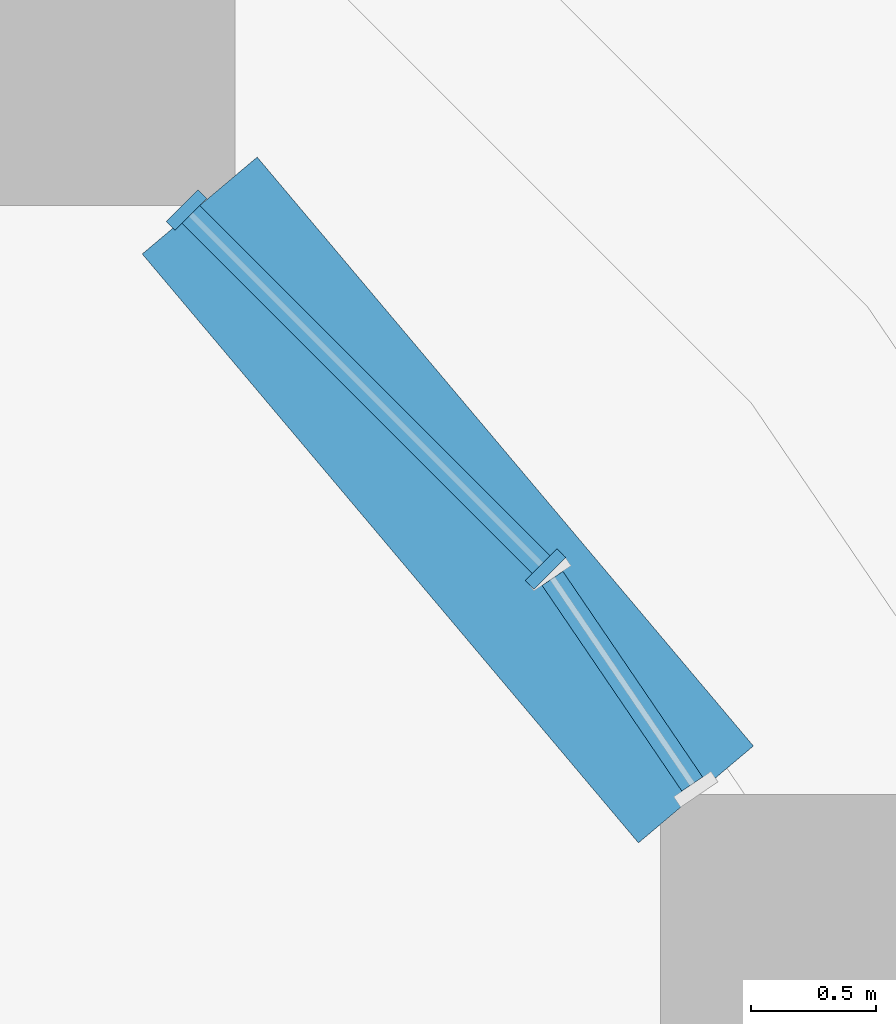
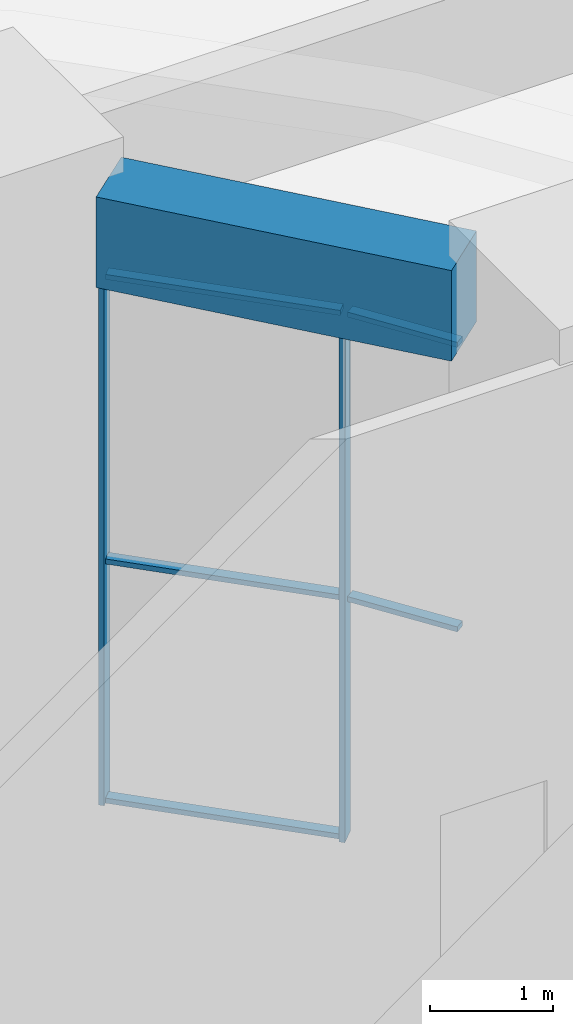
# One storey, part 20 of 51: 7 members, 1 beam, 2 elements without a shape of their own.
"""IFC4 building model written with IfcOpenShell, lengths in metres."""

from ifc_helpers import new_model, si_unit, direction, frame, origin, origin_2d, place, context, subcontext, project, spatial, rectangle, extrude, material, layer, layer_set, material_profile, profile_set, type_object, element, aggregate, save


model = new_model("IFC4")

# Units and contexts
model_context = context("Model", 3, precision=1e-05, world=origin(), true_north=direction((0.0, 1.0)))
body_context = subcontext(model_context, "Body", "Model", "MODEL_VIEW")
ifc_project = project(units=[si_unit("LENGTHUNIT", "METRE"), si_unit("AREAUNIT", "SQUARE_METRE"), si_unit("VOLUMEUNIT", "CUBIC_METRE"), si_unit("PLANEANGLEUNIT", "RADIAN"), si_unit("MASSUNIT", "GRAM", prefix="KILO")], contexts=[model_context])

# Site, building, storey
site_placement = place(None, origin())
site = spatial("IfcSite", under=ifc_project, at=site_placement, CompositionType="ELEMENT")
building_placement = place(site_placement, origin())
building = spatial("IfcBuilding", under=site, at=building_placement, Name="Kiln Ring Residences", CompositionType="ELEMENT")
storey_placement = place(building_placement, origin())
storey = spatial("IfcBuildingStorey", under=building, at=storey_placement, Name="L00", CompositionType="ELEMENT", Elevation=0.0)

# Curtain wall, members
ifc_material_1 = material(Name="Aluminium and glass", Category="aluminium")
ifc_layer = layer(ifc_material_1, 0.179931640625)
ifc_layer_set = layer_set([ifc_layer], Name="CW2 CURTAIN WALL")
curtain_wall_type = type_object("IfcCurtainWallType", Name="CW2 CURTAIN WALL", PredefinedType="NOTDEFINED", material=ifc_layer_set)
placement = place(storey_placement, origin())
curtain_wall_1 = element("IfcCurtainWall", 1, at=placement, inside=storey, type_object=curtain_wall_type, Name="Curtain wall CW2 L00", PredefinedType="NOTDEFINED")
ifc_material_2 = material(Name="Aluminium 6063-T6", Category="aluminium")
ifc_material_profile_1 = material_profile(ifc_material_2, rectangle(XDim=0.179931640625, YDim=0.050048828125, at=origin_2d()), Name="AL 180x50")
ifc_profile_set_1 = profile_set([ifc_material_profile_1], Name="Aluminium 6063-T6")
member_type_1 = type_object("IfcMemberType", Name="CW2 MULLION 180 x 50", PredefinedType="MULLION", material=ifc_profile_set_1)
member_1_placement = place(storey_placement, frame((26.17919921875, 18.40869140625, 0.0), z_axis=(0.0, 0.0, 1.0), x_axis=(-0.707106781187, -0.707106781187, 0.0)))
member_1 = element("IfcMember", 2, at=member_1_placement, type_object=member_type_1, Name="CW2 mullion 1", PredefinedType="MULLION", context=body_context, shape_type="SweptSolid", body=[
    extrude(rectangle(XDim=0.179931640625, YDim=0.050048828125, at=origin_2d()), origin(), (0.0, 0.0, 1.0), 5.25),
])
member_2_placement = place(storey_placement, frame((24.745849609375, 19.842041015625, 0.0), z_axis=(0.0, 0.0, 1.0), x_axis=(-0.707106781187, -0.707106781187, 0.0)))
member_2 = element("IfcMember", 3, at=member_2_placement, type_object=member_type_1, Name="CW2 mullion 2", PredefinedType="MULLION", context=body_context, shape_type="SweptSolid", body=[
    extrude(rectangle(XDim=0.179931640625, YDim=0.050048828125, at=origin_2d()), origin(), (0.0, 0.0, 1.0), 5.25),
])

curtain_wall_2 = element("IfcCurtainWall", 4, at=placement, inside=storey, type_object=curtain_wall_type, Name="Curtain wall CW2 L00", PredefinedType="NOTDEFINED")
ifc_material_3 = material(Name="Aluminium 6063-T6", Category="aluminium")
ifc_material_profile_2 = material_profile(ifc_material_3, rectangle(XDim=0.10009765625, YDim=0.050048828125, at=origin_2d()), Name="AL 100x50")
ifc_profile_set_2 = profile_set([ifc_material_profile_2], Name="Aluminium 6063-T6")
member_type_2 = type_object("IfcMemberType", Name="CW2 TRANSOM 100 x 50", PredefinedType="USERDEFINED", material=ifc_profile_set_2)
member_3_placement = place(storey_placement, frame((26.76513671875, 17.550048828125, 2.39990234375), z_axis=(-0.562054442388, 0.827100238055, 0.0), x_axis=(-0.827100238055, -0.562054442388, 0.0)))
member_3 = element("IfcMember", 5, at=member_3_placement, type_object=member_type_2, Name="CW2 transom 1.2", ObjectType="TRANSOM", PredefinedType="USERDEFINED", context=body_context, shape_type="SweptSolid", body=[
    extrude(rectangle(XDim=0.10009765625, YDim=0.050048828125, at=origin_2d()), origin(), (0.0, 0.0, 1.0), 0.992919921875),
])
member_4_placement = place(storey_placement, frame((26.76513671875, 17.550048828125, 5.22509765625), z_axis=(-0.562054442388, 0.827100238055, 0.0), x_axis=(-0.827100238055, -0.562054442388, 0.0)))
member_4 = element("IfcMember", 6, at=member_4_placement, type_object=member_type_2, Name="CW2 transom 1.3", ObjectType="TRANSOM", PredefinedType="USERDEFINED", context=body_context, shape_type="SweptSolid", body=[
    extrude(rectangle(XDim=0.10009765625, YDim=0.050048828125, at=origin_2d()), origin(), (0.0, 0.0, 1.0), 0.992919921875),
])
aggregate(curtain_wall_2, [member_3, member_4])

# Member
member_5_placement = place(storey_placement, frame((26.16162109375, 18.42626953125, 0.02490234375), z_axis=(-0.707106781187, 0.707106781187, 0.0), x_axis=(-0.707106781187, -0.707106781187, 0.0)))
member_5 = element("IfcMember", 7, at=member_5_placement, type_object=member_type_2, Name="CW2 transom 1.1", ObjectType="TRANSOM", PredefinedType="USERDEFINED", context=body_context, shape_type="SweptSolid", body=[
    extrude(rectangle(XDim=0.10009765625, YDim=0.050048828125, at=origin_2d()), origin(), (0.0, 0.0, 1.0), 1.977294921875),
])

member_6_placement = place(storey_placement, frame((26.16162109375, 18.42626953125, 2.39990234375), z_axis=(-0.707106781187, 0.707106781187, 0.0), x_axis=(-0.707106781187, -0.707106781187, 0.0)))
member_6 = element("IfcMember", 8, at=member_6_placement, type_object=member_type_2, Name="CW2 transom 1.2", ObjectType="TRANSOM", PredefinedType="USERDEFINED", context=body_context, shape_type="SweptSolid", body=[
    extrude(rectangle(XDim=0.10009765625, YDim=0.050048828125, at=origin_2d()), origin(), (0.0, 0.0, 1.0), 1.977294921875),
])

member_7_placement = place(storey_placement, frame((26.16162109375, 18.42626953125, 5.22509765625), z_axis=(-0.707106781187, 0.707106781187, 0.0), x_axis=(-0.707106781187, -0.707106781187, 0.0)))
member_7 = element("IfcMember", 9, at=member_7_placement, type_object=member_type_2, Name="CW2 transom 1.3", ObjectType="TRANSOM", PredefinedType="USERDEFINED", context=body_context, shape_type="SweptSolid", body=[
    extrude(rectangle(XDim=0.10009765625, YDim=0.050048828125, at=origin_2d()), origin(), (0.0, 0.0, 1.0), 1.977294921875),
])

aggregate(curtain_wall_1, [member_1, member_2, member_5, member_6, member_7])

# Beam
ifc_material_4 = material(Name="Concrete C50/60", Category="concrete")
ifc_material_profile_3 = material_profile(ifc_material_4, rectangle(XDim=0.60009765625, YDim=0.89990234375, at=origin_2d()), Name="RC600x900")
ifc_profile_set_3 = profile_set([ifc_material_profile_3], Name="Concrete C50/60")
beam_type = type_object("IfcBeamType", Name="Spandrel beam RC600x900 C50/60", PredefinedType="SPANDREL", material=ifc_profile_set_3)
beam_placement = place(storey_placement, frame((26.77978515625, 17.5087890625, 5.699951171875), z_axis=(-0.644392464941, 0.764694939912, 0.0), x_axis=(-0.764694939912, -0.644392464941, 0.0)))
element("IfcBeam", 10, at=beam_placement, inside=storey, type_object=beam_type, Name="Spandrel beam L00 16", PredefinedType="SPANDREL", context=body_context, shape_type="SweptSolid", body=[
    extrude(rectangle(XDim=0.60009765625, YDim=0.89990234375, at=origin_2d()), origin(), (0.0, 0.0, 1.0), 3.074462890625),
])

save(model, "model.ifc")
